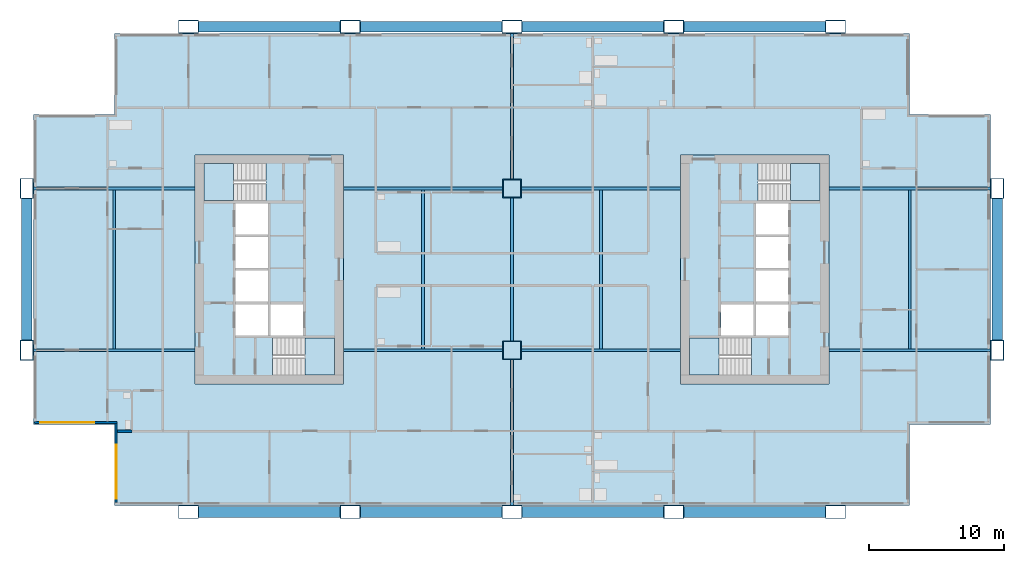
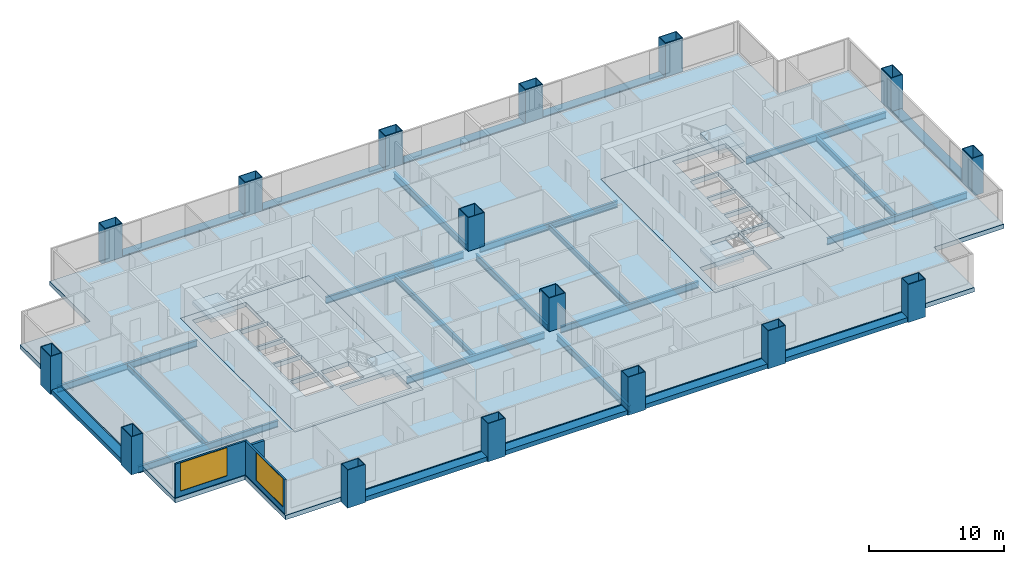
# One storey, part 1 of 10: 25 beams, 16 columns, 7 slabs, 3 walls, 2 windows, 2 openings, 4 elements without a shape of their own.
"""IFC4 building model written with IfcOpenShell, lengths in metres."""

from ifc_helpers import new_model, si_unit, direction, frame, frame_2d, origin, origin_2d, place, context, subcontext, project, spatial, polyline, rectangle, hollow_rectangle, i_section, outline, extrude, material, layer, layer_set, material_profile, profile_set, type_object, element, fill, aggregate, save


model = new_model("IFC4")

# Units and contexts
model_context = context("Model", 3, precision=1e-05, world=origin(), true_north=direction((0.0, 1.0)))
body_context = subcontext(model_context, "Body", "Model", "MODEL_VIEW")
ifc_project = project(units=[si_unit("LENGTHUNIT", "METRE"), si_unit("AREAUNIT", "SQUARE_METRE"), si_unit("VOLUMEUNIT", "CUBIC_METRE"), si_unit("PLANEANGLEUNIT", "RADIAN"), si_unit("MASSUNIT", "GRAM", prefix="KILO")], contexts=[model_context])

# Site, building, storey
site_placement = place(None, origin())
site = spatial("IfcSite", under=ifc_project, at=site_placement, CompositionType="ELEMENT")
building_placement = place(site_placement, origin())
building = spatial("IfcBuilding", under=site, at=building_placement, Name="Kitamizu Gate Tower and Museum", CompositionType="ELEMENT")
storey_placement = place(building_placement, frame((0.0, 0.0, 117.300048828125)))
storey = spatial("IfcBuildingStorey", under=building, at=storey_placement, Name="L30", CompositionType="ELEMENT", Elevation=117.300048828125)

# Columns
ifc_material_1 = material(Name="Steel SM490A bronze coated", Category="steel")
ifc_material_profile_1 = material_profile(ifc_material_1, hollow_rectangle(XDim=1.5, YDim=1.0, WallThickness=0.06005859375, at=origin_2d()), Name="BOX 1500x1000x60")
ifc_profile_set_1 = profile_set([ifc_material_profile_1], Name="Steel SM490A bronze coated")
column_type_1 = type_object("IfcColumnType", Name="Exoskeleton column XC4 BOX 1500x1000x60", PredefinedType="COLUMN", material=ifc_profile_set_1)
for number, where, z_axis, x_axis, name in (
    (1, (0.0, 24.0, -0.400146484375), (0.0, 0.0, 1.0), (0.0, 1.0, 0.0), "Column XC4 1C L30"),
    (2, (0.0, 36.0, -0.400146484375), (0.0, 0.0, 1.0), (0.0, 1.0, 0.0), "Column XC4 1D L30"),
    (3, (12.0, 12.0, -0.400146484375), (0.0, 0.0, 1.0), (1.0, 0.0, 0.0), "Column XC4 2B L30"),
    (4, (12.0, 48.0, -0.400146484375), (0.0, 0.0, 1.0), (1.0, 0.0, 0.0), "Column XC4 2E L30"),
    (5, (24.0, 12.0, -0.400146484375), (0.0, 0.0, 1.0), (1.0, 0.0, 0.0), "Column XC4 3B L30"),
    (6, (24.0, 48.0, -0.400146484375), (0.0, 0.0, 1.0), (1.0, 0.0, 0.0), "Column XC4 3E L30"),
    (7, (36.0, 12.0, -0.400146484375), (0.0, 0.0, 1.0), (1.0, 0.0, 0.0), "Column XC4 4B L30"),
    (8, (36.0, 48.0, -0.400146484375), (0.0, 0.0, 1.0), (1.0, 0.0, 0.0), "Column XC4 4E L30"),
    (9, (48.0, 12.0, -0.400146484375), (0.0, 0.0, 1.0), (1.0, 0.0, 0.0), "Column XC4 5B L30"),
    (10, (48.0, 48.0, -0.400146484375), (0.0, 0.0, 1.0), (1.0, 0.0, 0.0), "Column XC4 5E L30"),
    (11, (60.0, 12.0, -0.400146484375), (0.0, 0.0, 1.0), (1.0, 0.0, 0.0), "Column XC4 6B L30"),
    (12, (60.0, 48.0, -0.400146484375), (0.0, 0.0, 1.0), (1.0, 0.0, 0.0), "Column XC4 6E L30"),
    (13, (72.0, 24.0, -0.400146484375), (0.0, 0.0, 1.0), (0.0, 1.0, 0.0), "Column XC4 7C L30"),
    (14, (72.0, 36.0, -0.400146484375), (0.0, 0.0, 1.0), (0.0, 1.0, 0.0), "Column XC4 7D L30"),
):
    element("IfcColumn", number, at=place(storey_placement, frame(where, z_axis=z_axis, x_axis=x_axis)), inside=storey, type_object=column_type_1, Name=name, PredefinedType="COLUMN", context=body_context, shape_type="SweptSolid", body=[
        extrude(hollow_rectangle(XDim=1.5, YDim=1.0, WallThickness=0.06005859375, at=origin_2d()), origin(), (0.0, 0.0, 1.0), 3.4501953125),
    ])
ifc_material_2 = material(Name="Steel SM490A", Category="steel")
ifc_material_profile_2 = material_profile(ifc_material_2, hollow_rectangle(XDim=1.39990234375, YDim=1.39990234375, WallThickness=0.06005859375, at=origin_2d()), Name="BOX 1400x1400x60")
ifc_profile_set_2 = profile_set([ifc_material_profile_2], Name="Steel SM490A")
column_type_2 = type_object("IfcColumnType", Name="Interior column IC3 BOX 1400x1400x60", PredefinedType="COLUMN", material=ifc_profile_set_2)
for number, where, z_axis, x_axis, name in (
    (15, (36.0, 24.0, 0.0), (0.0, 0.0, 1.0), (1.0, 0.0, 0.0), "Column IC3 4C L30"),
    (16, (36.0, 36.0, 0.0), (0.0, 0.0, 1.0), (1.0, 0.0, 0.0), "Column IC3 4D L30"),
):
    element("IfcColumn", number, at=place(storey_placement, frame(where, z_axis=z_axis, x_axis=x_axis)), inside=storey, type_object=column_type_2, Name=name, PredefinedType="COLUMN", context=body_context, shape_type="SweptSolid", body=[
        extrude(hollow_rectangle(XDim=1.39990234375, YDim=1.39990234375, WallThickness=0.06005859375, at=origin_2d()), origin(), (0.0, 0.0, 1.0), 3.050048828125),
    ])

# Beams
ifc_material_3 = material(Name="Steel SM490A bronze coated", Category="steel")
ifc_material_profile_3 = material_profile(ifc_material_3, hollow_rectangle(XDim=0.800048828125, YDim=0.39990234375, WallThickness=0.0400390625, at=origin_2d()), Name="BOX 800x400x40")
ifc_profile_set_3 = profile_set([ifc_material_profile_3], Name="Steel SM490A bronze coated")
beam_type_1 = type_object("IfcBeamType", Name="Exoskeleton spandrel beam SB1 BOX 800x400x40", PredefinedType="SPANDREL", material=ifc_profile_set_3)
for number, where, z_axis, x_axis, name in (
    (17, (12.75, 12.0, -0.199951171875), (1.0, 0.0, 0.0), (0.0, 1.0, 0.0), "Exoskeleton spandrel beam south 12 L30"),
    (18, (24.75, 12.0, -0.199951171875), (1.0, 0.0, 0.0), (0.0, 1.0, 0.0), "Exoskeleton spandrel beam south 24 L30"),
    (19, (36.75, 12.0, -0.199951171875), (1.0, 0.0, 0.0), (0.0, 1.0, 0.0), "Exoskeleton spandrel beam south 36 L30"),
    (20, (48.75, 12.0, -0.199951171875), (1.0, 0.0, 0.0), (0.0, 1.0, 0.0), "Exoskeleton spandrel beam south 48 L30"),
    (21, (12.75, 48.0, -0.199951171875), (1.0, 0.0, 0.0), (0.0, 1.0, 0.0), "Exoskeleton spandrel beam north 12 L30"),
    (22, (24.75, 48.0, -0.199951171875), (1.0, 0.0, 0.0), (0.0, 1.0, 0.0), "Exoskeleton spandrel beam north 24 L30"),
    (23, (36.75, 48.0, -0.199951171875), (1.0, 0.0, 0.0), (0.0, 1.0, 0.0), "Exoskeleton spandrel beam north 36 L30"),
    (24, (48.75, 48.0, -0.199951171875), (1.0, 0.0, 0.0), (0.0, 1.0, 0.0), "Exoskeleton spandrel beam north 48 L30"),
    (25, (0.0, 24.75, -0.199951171875), (0.0, 1.0, 0.0), (-1.0, 0.0, 0.0), "Exoskeleton spandrel beam west 24 L30"),
    (26, (72.0, 24.75, -0.199951171875), (0.0, 1.0, 0.0), (-1.0, 0.0, 0.0), "Exoskeleton spandrel beam east 24 L30"),
):
    element("IfcBeam", number, at=place(storey_placement, frame(where, z_axis=z_axis, x_axis=x_axis)), inside=storey, type_object=beam_type_1, Name=name, PredefinedType="SPANDREL", context=body_context, shape_type="SweptSolid", body=[
        extrude(hollow_rectangle(XDim=0.800048828125, YDim=0.39990234375, WallThickness=0.0400390625, at=origin_2d()), origin(), (0.0, 0.0, 1.0), 10.5),
    ])
ifc_material_4 = material(Name="Steel SM490A", Category="steel")
ifc_material_profile_4 = material_profile(ifc_material_4, i_section(OverallWidth=0.199951171875, OverallDepth=0.5, WebThickness=0.010009765625, FlangeThickness=0.01611328125, FilletRadius=0.02001953125, at=origin_2d()), Name="H-500x200x10x16")
ifc_profile_set_4 = profile_set([ifc_material_profile_4], Name="Steel SM490A")
beam_type_2 = type_object("IfcBeamType", Name="Floor beam FB1 H 500x200x10x16", PredefinedType="BEAM", material=ifc_profile_set_4)
for number, where, z_axis, x_axis, name in (
    (27, (6.5, 24.10009765625, -0.650146484375), (0.0, 1.0, 0.0), (-1.0, 0.0, 0.0), "Floor beam FB1 L30-1"),
    (28, (29.39990234375, 24.10009765625, -0.650146484375), (0.0, 1.0, 0.0), (-1.0, 0.0, 0.0), "Floor beam FB1 L30-2"),
    (29, (42.60009765625, 24.10009765625, -0.650146484375), (0.0, 1.0, 0.0), (-1.0, 0.0, 0.0), "Floor beam FB1 L30-3"),
    (30, (65.5, 24.10009765625, -0.650146484375), (0.0, 1.0, 0.0), (-1.0, 0.0, 0.0), "Floor beam FB1 L30-4"),
):
    element("IfcBeam", number, at=place(storey_placement, frame(where, z_axis=z_axis, x_axis=x_axis)), inside=storey, type_object=beam_type_2, Name=name, PredefinedType="BEAM", context=body_context, shape_type="SweptSolid", body=[
        extrude(i_section(OverallWidth=0.199951171875, OverallDepth=0.5, WebThickness=0.010009765625, FlangeThickness=0.01611328125, FilletRadius=0.02001953125, at=origin_2d()), origin(), (0.0, 0.0, 1.0), 11.7998046875),
    ])
ifc_material_5 = material(Name="Steel SM490A", Category="steel")
ifc_material_profile_5 = material_profile(ifc_material_5, i_section(OverallWidth=0.199951171875, OverallDepth=0.60009765625, WebThickness=0.010986328125, FlangeThickness=0.01708984375, FilletRadius=0.02197265625, at=origin_2d()), Name="H-600x200x11x17")
ifc_profile_set_5 = profile_set([ifc_material_profile_5], Name="Steel SM490A")
beam_type_3 = type_object("IfcBeamType", Name="Floor girder FG1 H 600x200x11x17", PredefinedType="BEAM", material=ifc_profile_set_5)
beam_1_placement = place(storey_placement, frame((36.0, 12.5, -0.699951171875), z_axis=(0.0, 1.0, 0.0), x_axis=(-1.0, 0.0, 0.0)))
element("IfcBeam", 31, at=beam_1_placement, inside=storey, type_object=beam_type_3, Name="Floor girder FG1 x36 L30", PredefinedType="BEAM", context=body_context, shape_type="SweptSolid", body=[
    extrude(i_section(OverallWidth=0.199951171875, OverallDepth=0.60009765625, WebThickness=0.010986328125, FlangeThickness=0.01708984375, FilletRadius=0.02197265625, at=origin_2d()), origin(), (0.0, 0.0, 1.0), 10.800048828125),
])
beam_2_placement = place(storey_placement, frame((36.0, 24.699951171875, -0.699951171875), z_axis=(0.0, 1.0, 0.0), x_axis=(-1.0, 0.0, 0.0)))
element("IfcBeam", 32, at=beam_2_placement, inside=storey, type_object=beam_type_3, Name="Floor girder FG1 x36 L30", PredefinedType="BEAM", context=body_context, shape_type="SweptSolid", body=[
    extrude(i_section(OverallWidth=0.199951171875, OverallDepth=0.60009765625, WebThickness=0.010986328125, FlangeThickness=0.01708984375, FilletRadius=0.02197265625, at=origin_2d()), origin(), (0.0, 0.0, 1.0), 10.60009765625),
])
beam_3_placement = place(storey_placement, frame((36.0, 36.699951171875, -0.699951171875), z_axis=(0.0, 1.0, 0.0), x_axis=(-1.0, 0.0, 0.0)))
element("IfcBeam", 33, at=beam_3_placement, inside=storey, type_object=beam_type_3, Name="Floor girder FG1 x36 L30", PredefinedType="BEAM", context=body_context, shape_type="SweptSolid", body=[
    extrude(i_section(OverallWidth=0.199951171875, OverallDepth=0.60009765625, WebThickness=0.010986328125, FlangeThickness=0.01708984375, FilletRadius=0.02197265625, at=origin_2d()), origin(), (0.0, 0.0, 1.0), 10.800048828125),
])
beam_4_placement = place(storey_placement, frame((0.5, 24.0, -0.699951171875), z_axis=(1.0, 0.0, 0.0), x_axis=(0.0, 1.0, 0.0)))
element("IfcBeam", 34, at=beam_4_placement, inside=storey, type_object=beam_type_3, Name="Floor girder FG1 y24 L30", PredefinedType="BEAM", context=body_context, shape_type="SweptSolid", body=[
    extrude(i_section(OverallWidth=0.199951171875, OverallDepth=0.60009765625, WebThickness=0.010986328125, FlangeThickness=0.01708984375, FilletRadius=0.02197265625, at=origin_2d()), origin(), (0.0, 0.0, 1.0), 12.0),
])
for number, where, z_axis, x_axis, name in (
    (35, (23.5, 24.0, -0.699951171875), (1.0, 0.0, 0.0), (0.0, 1.0, 0.0), "Floor girder FG1 y24 L30"),
    (36, (36.699951171875, 24.0, -0.699951171875), (1.0, 0.0, 0.0), (0.0, 1.0, 0.0), "Floor girder FG1 y24 L30"),
):
    element("IfcBeam", number, at=place(storey_placement, frame(where, z_axis=z_axis, x_axis=x_axis)), inside=storey, type_object=beam_type_3, Name=name, PredefinedType="BEAM", context=body_context, shape_type="SweptSolid", body=[
        extrude(i_section(OverallWidth=0.199951171875, OverallDepth=0.60009765625, WebThickness=0.010986328125, FlangeThickness=0.01708984375, FilletRadius=0.02197265625, at=origin_2d()), origin(), (0.0, 0.0, 1.0), 11.800048828125),
    ])
for number, where, z_axis, x_axis, name in (
    (37, (59.5, 24.0, -0.699951171875), (1.0, 0.0, 0.0), (0.0, 1.0, 0.0), "Floor girder FG1 y24 L30"),
    (38, (0.5, 36.0, -0.699951171875), (1.0, 0.0, 0.0), (0.0, 1.0, 0.0), "Floor girder FG1 y36 L30"),
):
    element("IfcBeam", number, at=place(storey_placement, frame(where, z_axis=z_axis, x_axis=x_axis)), inside=storey, type_object=beam_type_3, Name=name, PredefinedType="BEAM", context=body_context, shape_type="SweptSolid", body=[
        extrude(i_section(OverallWidth=0.199951171875, OverallDepth=0.60009765625, WebThickness=0.010986328125, FlangeThickness=0.01708984375, FilletRadius=0.02197265625, at=origin_2d()), origin(), (0.0, 0.0, 1.0), 12.0),
    ])
for number, where, z_axis, x_axis, name in (
    (39, (23.5, 36.0, -0.699951171875), (1.0, 0.0, 0.0), (0.0, 1.0, 0.0), "Floor girder FG1 y36 L30"),
    (40, (36.699951171875, 36.0, -0.699951171875), (1.0, 0.0, 0.0), (0.0, 1.0, 0.0), "Floor girder FG1 y36 L30"),
):
    element("IfcBeam", number, at=place(storey_placement, frame(where, z_axis=z_axis, x_axis=x_axis)), inside=storey, type_object=beam_type_3, Name=name, PredefinedType="BEAM", context=body_context, shape_type="SweptSolid", body=[
        extrude(i_section(OverallWidth=0.199951171875, OverallDepth=0.60009765625, WebThickness=0.010986328125, FlangeThickness=0.01708984375, FilletRadius=0.02197265625, at=origin_2d()), origin(), (0.0, 0.0, 1.0), 11.800048828125),
    ])
beam_5_placement = place(storey_placement, frame((59.5, 36.0, -0.699951171875), z_axis=(1.0, 0.0, 0.0), x_axis=(0.0, 1.0, 0.0)))
element("IfcBeam", 41, at=beam_5_placement, inside=storey, type_object=beam_type_3, Name="Floor girder FG1 y36 L30", PredefinedType="BEAM", context=body_context, shape_type="SweptSolid", body=[
    extrude(i_section(OverallWidth=0.199951171875, OverallDepth=0.60009765625, WebThickness=0.010986328125, FlangeThickness=0.01708984375, FilletRadius=0.02197265625, at=origin_2d()), origin(), (0.0, 0.0, 1.0), 12.0),
])

# Slabs
ifc_material_6 = material(Name="Concrete Fc36", Category="concrete")
ifc_layer_1 = layer(ifc_material_6, 0.39990234375)
ifc_layer_set_1 = layer_set([ifc_layer_1], Name="Concrete Fc36")
slab_type_1 = type_object("IfcSlabType", Name="Core floor slab 400", PredefinedType="FLOOR", material=ifc_layer_set_1)
slab_1_placement = place(storey_placement, frame((0.0, 0.0, -0.400146484375)))
element("IfcSlab", 42, at=slab_1_placement, inside=storey, type_object=slab_type_1, Name="Core floor slab W", PredefinedType="FLOOR", context=body_context, shape_type="SweptSolid", body=[
    extrude(outline(polyline([(12.5, 21.5), (23.5, 21.5), (23.5, 38.5), (12.5, 38.5), (12.5, 21.5)]), holes=[polyline([(15.5, 25.10009765625), (17.89990234375, 25.10009765625), (17.89990234375, 27.39990234375), (15.5, 27.39990234375), (15.5, 25.10009765625)]), polyline([(15.5, 27.60009765625), (17.89990234375, 27.60009765625), (17.89990234375, 29.89990234375), (15.5, 29.89990234375), (15.5, 27.60009765625)]), polyline([(15.5, 30.10009765625), (17.89990234375, 30.10009765625), (17.89990234375, 32.39990234375), (15.5, 32.39990234375), (15.5, 30.10009765625)]), polyline([(15.5, 32.60009765625), (17.89990234375, 32.60009765625), (17.89990234375, 34.89990234375), (15.5, 34.89990234375), (15.5, 32.60009765625)]), polyline([(18.10009765625, 25.10009765625), (20.5, 25.10009765625), (20.5, 27.39990234375), (18.10009765625, 27.39990234375), (18.10009765625, 25.10009765625)]), polyline([(18.25048828125, 22.14990234375), (22.85009765625, 22.14990234375), (22.85009765625, 24.89990234375), (18.25048828125, 24.89990234375), (18.25048828125, 22.14990234375)]), polyline([(13.14990234375, 35.10009765625), (17.74951171875, 35.10009765625), (17.74951171875, 37.85009765625), (13.14990234375, 37.85009765625), (13.14990234375, 35.10009765625)])]), origin(), (0.0, 0.0, 1.0), 0.400146484375),
])
slab_2_placement = place(storey_placement, frame((0.0, 0.0, -0.400146484375)))
element("IfcSlab", 43, at=slab_2_placement, inside=storey, type_object=slab_type_1, Name="Core floor slab E", PredefinedType="FLOOR", context=body_context, shape_type="SweptSolid", body=[
    extrude(outline(polyline([(48.5, 21.5), (59.5, 21.5), (59.5, 38.5), (48.5, 38.5), (48.5, 21.5)]), holes=[polyline([(54.10009765625, 25.10009765625), (56.5, 25.10009765625), (56.5, 27.39990234375), (54.10009765625, 27.39990234375), (54.10009765625, 25.10009765625)]), polyline([(54.10009765625, 27.60009765625), (56.5, 27.60009765625), (56.5, 29.89990234375), (54.10009765625, 29.89990234375), (54.10009765625, 27.60009765625)]), polyline([(54.10009765625, 30.10009765625), (56.5, 30.10009765625), (56.5, 32.39990234375), (54.10009765625, 32.39990234375), (54.10009765625, 30.10009765625)]), polyline([(54.10009765625, 32.60009765625), (56.5, 32.60009765625), (56.5, 34.89990234375), (54.10009765625, 34.89990234375), (54.10009765625, 32.60009765625)]), polyline([(51.5, 25.10009765625), (53.89990234375, 25.10009765625), (53.89990234375, 27.39990234375), (51.5, 27.39990234375), (51.5, 25.10009765625)]), polyline([(49.14990234375, 22.14990234375), (53.74951171875, 22.14990234375), (53.74951171875, 24.89990234375), (49.14990234375, 24.89990234375), (49.14990234375, 22.14990234375)]), polyline([(54.25048828125, 35.10009765625), (58.85009765625, 35.10009765625), (58.85009765625, 37.85009765625), (54.25048828125, 37.85009765625), (54.25048828125, 35.10009765625)])]), origin(), (0.0, 0.0, 1.0), 0.400146484375),
])
ifc_material_7 = material(Name="Concrete Fc36", Category="concrete")
ifc_layer_2 = layer(ifc_material_7, 0.39990234375)
ifc_layer_set_2 = layer_set([ifc_layer_2], Name="Concrete Fc36")
slab_type_2 = type_object("IfcSlabType", Name="Post tensioned flat slab 400", PredefinedType="FLOOR", material=ifc_layer_set_2)
slab_3_placement = place(storey_placement, frame((0.0, 0.0, -0.400146484375)))
element("IfcSlab", 44, at=slab_3_placement, inside=storey, type_object=slab_type_2, Name="Floor slab L30-1", PredefinedType="FLOOR", context=body_context, shape_type="SweptSolid", body=[
    extrude(outline(polyline([(0.5, 18.5), (0.5, 41.5), (6.5, 41.5), (6.5, 47.5), (65.5, 47.5), (65.5, 41.5), (71.5, 41.5), (71.5, 18.5), (65.5, 18.5), (65.5, 12.5), (6.5, 12.5), (6.5, 18.5), (0.5, 18.5)]), holes=[polyline([(59.5, 38.5), (48.5, 38.5), (48.5, 21.5), (59.5, 21.5), (59.5, 38.5)]), polyline([(12.5, 38.5), (12.5, 21.5), (23.5, 21.5), (23.5, 38.5), (12.5, 38.5)])]), origin(), (0.0, 0.0, 1.0), 0.400146484375),
])

# Stair, slab
ifc_material_8 = material(Name="Concrete Fc42", Category="concrete")
stair_type = type_object("IfcStairType", Name="Exit stair 1275 wide 192 rise 300 going", PredefinedType="HALF_TURN_STAIR", material=ifc_material_8)
stair_1_placement = place(storey_placement, origin())
stair_1 = element("IfcStair", 45, at=stair_1_placement, inside=storey, type_object=stair_type, Name="Exit stair ST1", PredefinedType="HALF_TURN_STAIR")
ifc_material_9 = material(Name="Concrete Fc42", Category="concrete")
ifc_layer_3 = layer(ifc_material_9, 0.300048828125)
ifc_layer_set_3 = layer_set([ifc_layer_3], Name="Concrete Fc42")
slab_type_3 = type_object("IfcSlabType", Name="Stair landing 300", PredefinedType="LANDING", material=ifc_layer_set_3)
slab_4_placement = place(storey_placement, frame((0.0, 0.0, 1.425048828125)))
slab_4 = element("IfcSlab", 46, at=slab_4_placement, type_object=slab_type_3, Name="ST1 landing 1", PredefinedType="LANDING", context=body_context, shape_type="SweptSolid", body=[
    extrude(outline(polyline([(20.64990234375, 22.14990234375), (22.85009765625, 22.14990234375), (22.85009765625, 24.89990234375), (20.64990234375, 24.89990234375), (20.64990234375, 22.14990234375)])), origin(), (0.0, 0.0, 1.0), 0.2998046875),
])
aggregate(stair_1, [slab_4])

stair_2_placement = place(storey_placement, origin())
stair_2 = element("IfcStair", 47, at=stair_2_placement, inside=storey, type_object=stair_type, Name="Exit stair ST2", PredefinedType="HALF_TURN_STAIR")
slab_5_placement = place(storey_placement, frame((0.0, 0.0, 1.425048828125)))
slab_5 = element("IfcSlab", 48, at=slab_5_placement, type_object=slab_type_3, Name="ST2 landing 1", PredefinedType="LANDING", context=body_context, shape_type="SweptSolid", body=[
    extrude(outline(polyline([(13.14990234375, 35.10009765625), (15.35009765625, 35.10009765625), (15.35009765625, 37.85009765625), (13.14990234375, 37.85009765625), (13.14990234375, 35.10009765625)])), origin(), (0.0, 0.0, 1.0), 0.2998046875),
])
aggregate(stair_2, [slab_5])

stair_3_placement = place(storey_placement, origin())
stair_3 = element("IfcStair", 49, at=stair_3_placement, inside=storey, type_object=stair_type, Name="Exit stair ST3", PredefinedType="HALF_TURN_STAIR")
slab_6_placement = place(storey_placement, frame((0.0, 0.0, 1.425048828125)))
slab_6 = element("IfcSlab", 50, at=slab_6_placement, type_object=slab_type_3, Name="ST3 landing 1", PredefinedType="LANDING", context=body_context, shape_type="SweptSolid", body=[
    extrude(outline(polyline([(49.14990234375, 22.14990234375), (51.35009765625, 22.14990234375), (51.35009765625, 24.89990234375), (49.14990234375, 24.89990234375), (49.14990234375, 22.14990234375)])), origin(), (0.0, 0.0, 1.0), 0.2998046875),
])
aggregate(stair_3, [slab_6])

stair_4_placement = place(storey_placement, origin())
stair_4 = element("IfcStair", 51, at=stair_4_placement, inside=storey, type_object=stair_type, Name="Exit stair ST4", PredefinedType="HALF_TURN_STAIR")
slab_7_placement = place(storey_placement, frame((0.0, 0.0, 1.425048828125)))
slab_7 = element("IfcSlab", 52, at=slab_7_placement, type_object=slab_type_3, Name="ST4 landing 1", PredefinedType="LANDING", context=body_context, shape_type="SweptSolid", body=[
    extrude(outline(polyline([(56.64990234375, 35.10009765625), (58.85009765625, 35.10009765625), (58.85009765625, 37.85009765625), (56.64990234375, 37.85009765625), (56.64990234375, 35.10009765625)])), origin(), (0.0, 0.0, 1.0), 0.2998046875),
])
aggregate(stair_4, [slab_7])

# Wall
ifc_material_10 = material(Name="Gypsum board on galvanised stud")
ifc_layer_4 = layer(ifc_material_10, 0.199951171875)
ifc_layer_set_4 = layer_set([ifc_layer_4], Name="Gypsum board on galvanised stud")
wall_type_1 = type_object("IfcWallType", Name="Partition 200", PredefinedType="PARTITIONING", material=ifc_layer_set_4)
wall_1_placement = place(storey_placement, frame((7.800048828125, 18.0, 0.0), z_axis=(0.0, 0.0, 1.0), x_axis=(-1.0, 0.0, 0.0)))
element("IfcWall", 53, at=wall_1_placement, inside=storey, type_object=wall_type_1, Name="Partition L30-002", PredefinedType="PARTITIONING", context=body_context, shape_type="SweptSolid", body=[
    extrude(rectangle(XDim=1.080078125, YDim=0.199951171875, at=frame_2d((0.5400390625, 0.0))), origin(), (0.0, 0.0, 1.0), 3.050048828125),
])

# Wall, opening, window
ifc_material_11 = material(Name="Bronze anodised aluminium frame with insulated spandrel and tinted glass", Category="aluminium")
ifc_layer_5 = layer(ifc_material_11, 0.14990234375)
ifc_layer_set_5 = layer_set([ifc_layer_5], Name="Bronze anodised aluminium frame with insulated spandrel and tinted glass")
wall_type_2 = type_object("IfcWallType", Name="WINDOW WALL 150 BRONZE FRAME EI 30", PredefinedType="ELEMENTEDWALL", material=ifc_layer_set_5)
wall_2_placement = place(storey_placement, frame((0.56005859375, 18.635009765625, 0.0), z_axis=(0.0, 0.0, 1.0), x_axis=(1.0, 0.0, 0.0)))
wall_2 = element("IfcWall", 54, at=wall_2_placement, inside=storey, type_object=wall_type_2, Name="Window wall south L30", PredefinedType="ELEMENTEDWALL", context=body_context, shape_type="SweptSolid", body=[
    extrude(rectangle(XDim=6.14990234375, YDim=0.14990234375, at=frame_2d((3.074951171875, 0.0))), origin(), (0.0, 0.0, 1.0), 3.050048828125),
])
opening_1_placement = place(wall_2_placement, frame((0.43994140625, 0.0, 0.449951171875)))
opening_1 = element("IfcOpeningElement", 55, at=opening_1_placement, cuts=wall_2, Name="Opening W16", PredefinedType="OPENING", context=body_context, shape_type="SweptSolid", body=[
    extrude(rectangle(XDim=4.0, YDim=2.550048828125, at=frame_2d((2.0, 1.27490234375))), frame((0.0, 0.0849609375, 0.0), z_axis=(0.0, -1.0, 0.0), x_axis=(1.0, 0.0, 0.0)), (0.0, 0.0, 1.0), 0.169921875),
])
ifc_material_12 = material(Name="Bronze anodised aluminium frame, tinted triple glazing", Category="aluminium")
window_type = type_object("IfcWindowType", Name="WINDOW 4000 x 2550 SILL 450", PartitioningType="SINGLE_PANEL", PredefinedType="WINDOW", material=ifc_material_12)
window_1_placement = place(opening_1_placement, origin())
window_1 = element("IfcWindow", 56, at=window_1_placement, inside=storey, type_object=window_type, Name="Window W16 L30", OverallHeight=2.550048828125, OverallWidth=4.0, PartitioningType="SINGLE_PANEL", PredefinedType="WINDOW", context=body_context, shape_type="SweptSolid", body=[
    extrude(rectangle(XDim=4.0, YDim=2.550048828125, at=frame_2d((2.0, 1.27490234375))), frame((0.0, 0.030029296875, 0.0), z_axis=(0.0, -1.0, 0.0), x_axis=(1.0, 0.0, 0.0)), (0.0, 0.0, 1.0), 0.06005859375),
])
fill(opening_1, window_1)

wall_3_placement = place(storey_placement, frame((6.635009765625, 12.7099609375, 0.0), z_axis=(0.0, 0.0, 1.0), x_axis=(0.0, 1.0, 0.0)))
wall_3 = element("IfcWall", 57, at=wall_3_placement, inside=storey, type_object=wall_type_2, Name="Window wall west L30", PredefinedType="ELEMENTEDWALL", context=body_context, shape_type="SweptSolid", body=[
    extrude(rectangle(XDim=5.85009765625, YDim=0.14990234375, at=frame_2d((2.925048828125, 0.0))), origin(), (0.0, 0.0, 1.0), 3.050048828125),
])
opening_2_placement = place(wall_3_placement, frame((0.2900390625, 0.0, 0.449951171875)))
opening_2 = element("IfcOpeningElement", 58, at=opening_2_placement, cuts=wall_3, Name="Opening W16", PredefinedType="OPENING", context=body_context, shape_type="SweptSolid", body=[
    extrude(rectangle(XDim=4.0, YDim=2.550048828125, at=frame_2d((2.0, 1.27490234375))), frame((0.0, 0.0849609375, 0.0), z_axis=(0.0, -1.0, 0.0), x_axis=(1.0, 0.0, 0.0)), (0.0, 0.0, 1.0), 0.169921875),
])
window_2_placement = place(opening_2_placement, origin())
window_2 = element("IfcWindow", 59, at=window_2_placement, inside=storey, type_object=window_type, Name="Window W16 L30", OverallHeight=2.550048828125, OverallWidth=4.0, PartitioningType="SINGLE_PANEL", PredefinedType="WINDOW", context=body_context, shape_type="SweptSolid", body=[
    extrude(rectangle(XDim=4.0, YDim=2.550048828125, at=frame_2d((2.0, 1.27490234375))), frame((0.0, 0.030029296875, 0.0), z_axis=(0.0, -1.0, 0.0), x_axis=(1.0, 0.0, 0.0)), (0.0, 0.0, 1.0), 0.06005859375),
])
fill(opening_2, window_2)

save(model, "model.ifc")
